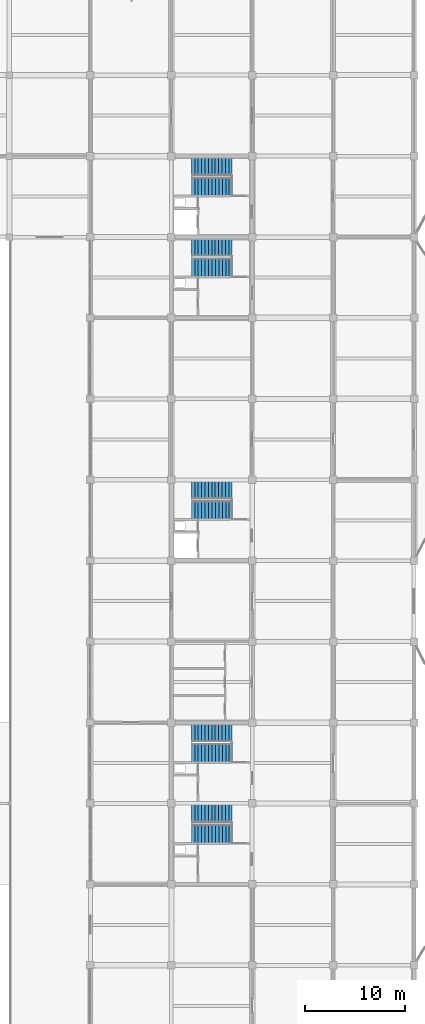
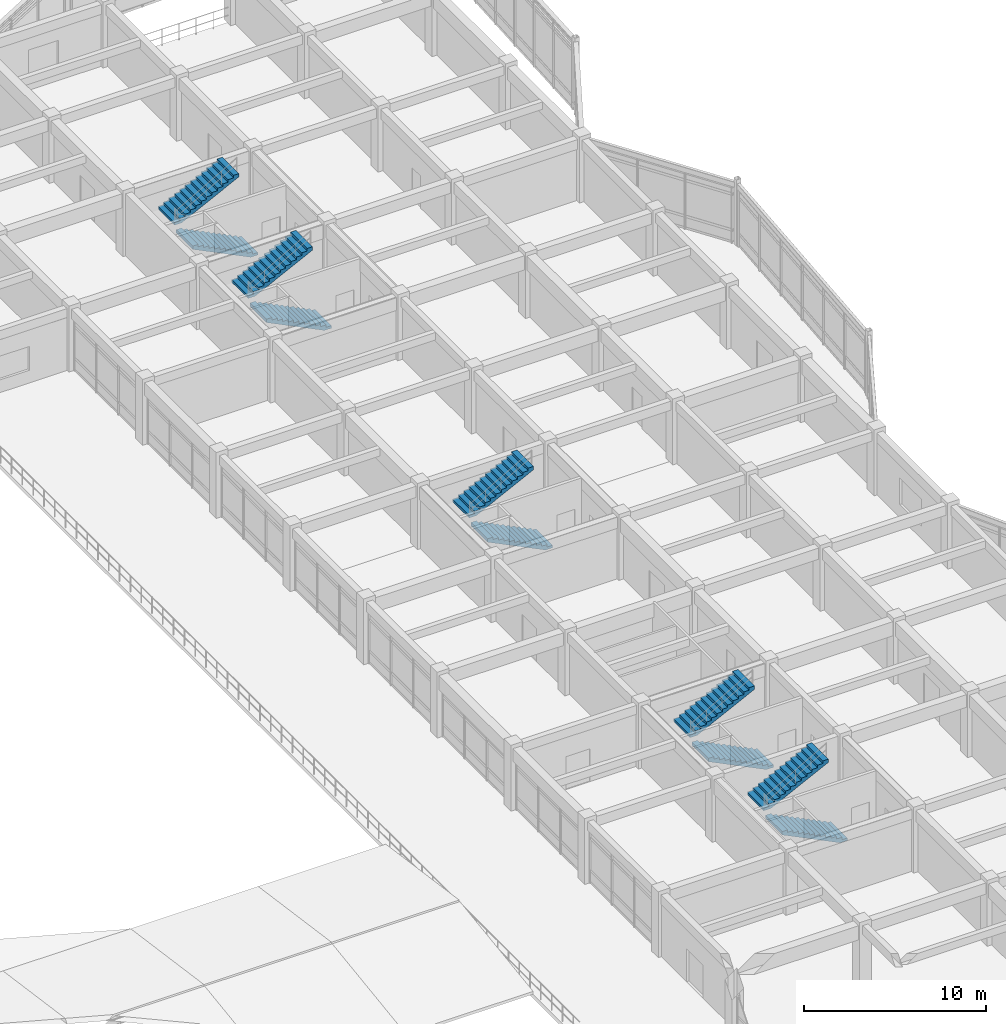
# One storey, part 56 of 70: 10 stair flights, 5 elements without a shape of their own.
"""IFC4 building model written with IfcOpenShell, lengths in metres."""

import ifcopenshell
import ifcopenshell.guid

model = None  # the IFC model being written
_history = None  # IfcOwnerHistory: only IFC2X3 demands one
_inside = {}  # id of a spatial element -> (the spatial element, [elements in it])
_under = {}  # id of a project, library or spatial element -> (it, [spatial elements below it])
_declared = {}  # id of a project -> (the project, [libraries it declares])
_typed = {}  # id of a type object -> (the type object, [elements of that type])
_made_of = {}  # id of a material, layer set ... -> (it, [elements and type objects made of it])


def new_model(schema):
    """Start an empty IFC model of exactly this schema.

    Asked for "IFC4X3", IfcOpenShell would pick the latest addendum, in which some entities
    have other attributes; the version numbers below select the first issue.
    IFC2X3 requires an IfcOwnerHistory on every rooted entity: one is made here for all.
    """
    global model, _history
    if schema == "IFC4X3":
        model = ifcopenshell.file(schema_version=(4, 3, 0, 0))
    else:
        model = ifcopenshell.file(schema=schema)
    _inside.clear()
    _under.clear()
    _declared.clear()
    _typed.clear()
    _made_of.clear()
    _history = None
    if model.schema == "IFC2X3":
        org = make("IfcOrganization", Name="unknown")
        user = make(
            "IfcPersonAndOrganization",
            ThePerson=make("IfcPerson", FamilyName="unknown"),
            TheOrganization=org,
        )
        app = make(
            "IfcApplication",
            ApplicationDeveloper=org,
            Version="unknown",
            ApplicationFullName="unknown",
            ApplicationIdentifier="unknown",
        )
        _history = make(
            "IfcOwnerHistory",
            OwningUser=user,
            OwningApplication=app,
            ChangeAction="ADDED",
            CreationDate=0,
        )
    return model


def make(cls, **values):
    """One entity of the class cls with the attributes given. An attribute that is None is left unset."""
    return model.create_entity(
        cls, **{name: value for name, value in values.items() if value is not None}
    )


def rooted(cls, **values):
    """An entity with a GlobalId (a new one), such as an element, a storey or a relation."""
    return make(cls, GlobalId=ifcopenshell.guid.new(), OwnerHistory=_history, **values)


def si_unit(unit_type, name, prefix=None):
    """IfcSIUnit, for example si_unit("LENGTHUNIT", "METRE", prefix="MILLI")."""
    return make("IfcSIUnit", UnitType=unit_type, Prefix=prefix, Name=name)


def assignment(units):
    """IfcUnitAssignment: the units of a project."""
    return None if units is None else make("IfcUnitAssignment", Units=units)


def point(xyz):
    """IfcCartesianPoint."""
    return None if xyz is None else make("IfcCartesianPoint", Coordinates=xyz)


def direction(xyz):
    """IfcDirection."""
    return None if xyz is None else make("IfcDirection", DirectionRatios=xyz)


def frame(location, z_axis=None, x_axis=None):
    """IfcAxis2Placement3D, a coordinate frame: its origin and axes. An axis left out is left unset."""
    return make(
        "IfcAxis2Placement3D",
        Location=point(location),
        Axis=direction(z_axis),
        RefDirection=direction(x_axis),
    )


def origin():
    """The frame at (0, 0, 0) with its axes left unset."""
    return frame((0.0, 0.0, 0.0))


def place(relative_to, where):
    """IfcLocalPlacement: puts the frame where relative to a parent placement (None: the world)."""
    return make(
        "IfcLocalPlacement", PlacementRelTo=relative_to, RelativePlacement=where
    )


def context(
    kind, dimensions, precision=None, world=None, true_north=None, identifier=None
):
    """IfcGeometricRepresentationContext, for example the 3D "Model" context."""
    return make(
        "IfcGeometricRepresentationContext",
        ContextIdentifier=identifier,
        ContextType=kind,
        CoordinateSpaceDimension=dimensions,
        Precision=precision,
        WorldCoordinateSystem=world,
        TrueNorth=true_north,
    )


def subcontext(parent, identifier, kind, view, scale=None):
    """IfcGeometricRepresentationSubContext, for example "Body" below "Model"."""
    return make(
        "IfcGeometricRepresentationSubContext",
        ContextIdentifier=identifier,
        ContextType=kind,
        ParentContext=parent,
        TargetScale=scale,
        TargetView=view,
    )


def project(units=None, contexts=None):
    """IfcProject with its units and contexts."""
    return rooted(
        "IfcProject",
        Name="project",
        RepresentationContexts=contexts,
        UnitsInContext=assignment(units),
    )


def spatial(cls, under=None, at=None, **own):
    """A site, building, storey or space (cls), placed at a placement, below another one or the project."""
    s = rooted(cls, ObjectPlacement=at, **own)
    if under is not None:
        _under.setdefault(under.id(), (under, []))[1].append(s)
    return s


def polyline(points):
    """IfcPolyline through the points."""
    return make("IfcPolyline", Points=[point(p) for p in points])


def outline(outer, holes=None, kind="AREA"):
    """IfcArbitraryClosedProfileDef: a profile drawn as a closed curve; with holes, ...WithVoids."""
    if holes is None:
        return make("IfcArbitraryClosedProfileDef", ProfileType=kind, OuterCurve=outer)
    return make(
        "IfcArbitraryProfileDefWithVoids",
        ProfileType=kind,
        OuterCurve=outer,
        InnerCurves=holes,
    )


def extrude(swept, where, along, depth):
    """IfcExtrudedAreaSolid: the profile swept, set in the frame where, extruded along a direction by depth."""
    return make(
        "IfcExtrudedAreaSolid",
        SweptArea=swept,
        Position=where,
        ExtrudedDirection=direction(along),
        Depth=depth,
    )


def shape(context_of_items, identifier, shape_type, items):
    """IfcShapeRepresentation: the items that make up one representation, for example the "Body"."""
    return make(
        "IfcShapeRepresentation",
        ContextOfItems=context_of_items,
        RepresentationIdentifier=identifier,
        RepresentationType=shape_type,
        Items=items,
    )


def material(Name=None, Category=None):
    """IfcMaterial."""
    return make("IfcMaterial", Name=Name, Category=Category)


def made_of(thing, what):
    """Note that an element or type object is made of a material, layer set ...; save() writes the relation."""
    if what is not None:
        _made_of.setdefault(what.id(), (what, []))[1].append(thing)
    return thing


def type_object(cls, material=None, **own):
    """A type object (cls), such as IfcWallType, which elements share."""
    return made_of(rooted(cls, **own), material)


def element(
    cls,
    number,
    at=None,
    inside=None,
    cuts=None,
    type_object=None,
    material=None,
    context=None,
    identifier="Body",
    shape_type=None,
    held_by="IfcProductDefinitionShape",
    body=None,
    shapes=None,
    **own,
):
    """One element of the class cls, such as IfcWall. Its Tag is "e" and its number.

    at: its placement. inside: the storey or other place that contains it. cuts: it is an
    opening in that element (IfcRelVoidsElement). A single representation is given by context,
    identifier, shape_type and body (its items); several are given by shapes. held_by: the class
    of the entity that holds the representations. save() writes the other relations.
    """
    e = rooted(cls, Tag="e%d" % number, ObjectPlacement=at, **own)
    if body is not None:
        shapes = [shape(context, identifier, shape_type, body)]
    if shapes is not None:
        e.Representation = make(held_by, Representations=shapes)
    if inside is not None:
        _inside.setdefault(inside.id(), (inside, []))[1].append(e)
    if cuts is not None:
        rooted(
            "IfcRelVoidsElement", RelatingBuildingElement=cuts, RelatedOpeningElement=e
        )
    if type_object is not None:
        _typed.setdefault(type_object.id(), (type_object, []))[1].append(e)
    return made_of(e, material)


def aggregate(whole, parts):
    """IfcRelAggregates: a whole, such as a stair, and the parts it consists of."""
    return rooted("IfcRelAggregates", RelatingObject=whole, RelatedObjects=parts)


def save(model, path):
    """Write the relations noted so far, then the file.

    IfcRelAggregates (storeys below a building ...), IfcRelContainedInSpatialStructure (elements
    in a storey), IfcRelDefinesByType, IfcRelAssociatesMaterial and IfcRelDeclares: one each for
    every whole, place, type object, material and project.
    """
    for whole, parts in _under.values():
        aggregate(whole, parts)
    for where, things in _inside.values():
        rooted(
            "IfcRelContainedInSpatialStructure",
            RelatedElements=things,
            RelatingStructure=where,
        )
    for kind, things in _typed.values():
        rooted("IfcRelDefinesByType", RelatedObjects=things, RelatingType=kind)
    for what, things in _made_of.values():
        rooted("IfcRelAssociatesMaterial", RelatedObjects=things, RelatingMaterial=what)
    for by, libraries in _declared.values():
        rooted("IfcRelDeclares", RelatingContext=by, RelatedDefinitions=libraries)
    model.write(path)


model = new_model("IFC4")

# Units and contexts
model_context = context("Model", 3, precision=1e-05, world=origin(), true_north=direction((0.0, 1.0)))
body_context = subcontext(model_context, "Body", "Model", "MODEL_VIEW")
ifc_project = project(units=[si_unit("LENGTHUNIT", "METRE"), si_unit("AREAUNIT", "SQUARE_METRE"), si_unit("VOLUMEUNIT", "CUBIC_METRE"), si_unit("PLANEANGLEUNIT", "RADIAN"), si_unit("MASSUNIT", "GRAM", prefix="KILO")], contexts=[model_context])

# Site, building, storey
site_placement = place(None, origin())
site = spatial("IfcSite", under=ifc_project, at=site_placement, CompositionType="ELEMENT")
building_placement = place(site_placement, origin())
building = spatial("IfcBuilding", under=site, at=building_placement, Name="Vaudrelin Polytechnic", CompositionType="ELEMENT")
storey_placement = place(building_placement, frame((0.0, 0.0, 14.110107421875)))
storey = spatial("IfcBuildingStorey", under=building, at=storey_placement, Name="L03", CompositionType="ELEMENT", Elevation=14.110107421875)

# Stair, stair flights
ifc_material = material(Name="Concrete 35 MPa", Category="concrete")
stair_type = type_object("IfcStairType", Name="STR-ST-CORE", PredefinedType="TWO_STRAIGHT_RUN_STAIR", material=ifc_material)
stair_1_placement = place(storey_placement, origin())
stair_1 = element("IfcStair", 1, at=stair_1_placement, inside=storey, type_object=stair_type, Name="Exit stair ST-06-L03", PredefinedType="TWO_STRAIGHT_RUN_STAIR")
stair_flight_type = type_object("IfcStairFlightType", Name="STF-STF-CORE", PredefinedType="STRAIGHT", material=ifc_material)
stair_flight_1_placement = place(storey_placement, frame((151.93994140625, 102.27001953125, 0.0), z_axis=(0.0, 0.0, 1.0), x_axis=(-1.0, 0.0, 0.0)))
stair_flight_1 = element("IfcStairFlight", 2, at=stair_flight_1_placement, type_object=stair_flight_type, Name="ST-06-L03 flight 1", NumberOfRisers=13, NumberOfTreads=12, PredefinedType="STRAIGHT", RiserHeight=0.17, TreadLength=0.34417, context=body_context, shape_type="SweptSolid", body=[
    extrude(outline(polyline([(0.0, 0.0), (0.0, 0.169921875), (0.34423828125, 0.169921875), (0.34423828125, 0.340087890625), (0.688232421875, 0.340087890625), (0.688232421875, 0.510009765625), (1.032470703125, 0.510009765625), (1.032470703125, 0.679931640625), (1.376708984375, 0.679931640625), (1.376708984375, 0.85009765625), (1.720947265625, 0.85009765625), (1.720947265625, 1.02001953125), (2.06494140625, 1.02001953125), (2.06494140625, 1.18994140625), (2.4091796875, 1.18994140625), (2.4091796875, 1.360107421875), (2.75341796875, 1.360107421875), (2.75341796875, 1.530029296875), (3.097412109375, 1.530029296875), (3.097412109375, 1.699951171875), (3.441650390625, 1.699951171875), (3.441650390625, 1.8701171875), (3.785888671875, 1.8701171875), (3.785888671875, 2.0400390625), (4.130126953125, 2.0400390625), (4.130126953125, 2.2099609375), (4.130126953125, 1.81689453125), (0.451416015625, 0.0), (0.0, 0.0)])), frame((0.0, 0.91015625, 0.0), z_axis=(0.0, -1.0, 0.0), x_axis=(1.0, 0.0, 0.0)), (0.0, 0.0, 1.0), 1.820068359375),
])
stair_flight_2_placement = place(storey_placement, frame((147.81005859375, 104.2900390625, 2.2099609375), z_axis=(0.0, 0.0, 1.0), x_axis=(1.0, 0.0, 0.0)))
stair_flight_2 = element("IfcStairFlight", 3, at=stair_flight_2_placement, type_object=stair_flight_type, Name="ST-06-L03 flight 2", NumberOfRisers=13, NumberOfTreads=12, PredefinedType="STRAIGHT", RiserHeight=0.17, TreadLength=0.34083, context=body_context, shape_type="SweptSolid", body=[
    extrude(outline(polyline([(0.0, 0.0), (0.0, 0.169921875), (0.3408203125, 0.169921875), (0.3408203125, 0.340087890625), (0.681640625, 0.340087890625), (0.681640625, 0.510009765625), (1.0224609375, 0.510009765625), (1.0224609375, 0.679931640625), (1.36328125, 0.679931640625), (1.36328125, 0.85009765625), (1.7041015625, 0.85009765625), (1.7041015625, 1.02001953125), (2.044921875, 1.02001953125), (2.044921875, 1.18994140625), (2.3857421875, 1.18994140625), (2.3857421875, 1.360107421875), (2.7265625, 1.360107421875), (2.7265625, 1.530029296875), (3.0673828125, 1.530029296875), (3.0673828125, 1.699951171875), (3.408203125, 1.699951171875), (3.408203125, 1.8701171875), (3.7490234375, 1.8701171875), (3.7490234375, 2.0400390625), (4.08984375, 2.0400390625), (4.08984375, 2.2099609375), (4.08984375, 1.816650390625), (0.447998046875, 0.0), (0.0, 0.0)])), frame((0.0, 0.91015625, 0.0), z_axis=(0.0, -1.0, 0.0), x_axis=(1.0, 0.0, 0.0)), (0.0, 0.0, 1.0), 1.820068359375),
])
aggregate(stair_1, [stair_flight_1, stair_flight_2])

stair_2_placement = place(storey_placement, origin())
stair_2 = element("IfcStair", 4, at=stair_2_placement, inside=storey, type_object=stair_type, Name="Exit stair ST-07-L03", PredefinedType="TWO_STRAIGHT_RUN_STAIR")
stair_flight_3_placement = place(storey_placement, frame((151.93994140625, 69.8701171875, 0.0), z_axis=(0.0, 0.0, 1.0), x_axis=(-1.0, 0.0, 0.0)))
stair_flight_3 = element("IfcStairFlight", 5, at=stair_flight_3_placement, type_object=stair_flight_type, Name="ST-07-L03 flight 1", NumberOfRisers=13, NumberOfTreads=12, PredefinedType="STRAIGHT", RiserHeight=0.17, TreadLength=0.34417, context=body_context, shape_type="SweptSolid", body=[
    extrude(outline(polyline([(0.0, 0.0), (0.0, 0.169921875), (0.34423828125, 0.169921875), (0.34423828125, 0.340087890625), (0.688232421875, 0.340087890625), (0.688232421875, 0.510009765625), (1.032470703125, 0.510009765625), (1.032470703125, 0.679931640625), (1.376708984375, 0.679931640625), (1.376708984375, 0.85009765625), (1.720947265625, 0.85009765625), (1.720947265625, 1.02001953125), (2.06494140625, 1.02001953125), (2.06494140625, 1.18994140625), (2.4091796875, 1.18994140625), (2.4091796875, 1.360107421875), (2.75341796875, 1.360107421875), (2.75341796875, 1.530029296875), (3.097412109375, 1.530029296875), (3.097412109375, 1.699951171875), (3.441650390625, 1.699951171875), (3.441650390625, 1.8701171875), (3.785888671875, 1.8701171875), (3.785888671875, 2.0400390625), (4.130126953125, 2.0400390625), (4.130126953125, 2.2099609375), (4.130126953125, 1.81689453125), (0.451416015625, 0.0), (0.0, 0.0)])), frame((0.0, 0.91015625, 0.0), z_axis=(0.0, -1.0, 0.0), x_axis=(1.0, 0.0, 0.0)), (0.0, 0.0, 1.0), 1.820068359375),
])
stair_flight_4_placement = place(storey_placement, frame((147.81005859375, 71.889892578125, 2.2099609375), z_axis=(0.0, 0.0, 1.0), x_axis=(1.0, 0.0, 0.0)))
stair_flight_4 = element("IfcStairFlight", 6, at=stair_flight_4_placement, type_object=stair_flight_type, Name="ST-07-L03 flight 2", NumberOfRisers=13, NumberOfTreads=12, PredefinedType="STRAIGHT", RiserHeight=0.17, TreadLength=0.34083, context=body_context, shape_type="SweptSolid", body=[
    extrude(outline(polyline([(0.0, 0.0), (0.0, 0.169921875), (0.3408203125, 0.169921875), (0.3408203125, 0.340087890625), (0.681640625, 0.340087890625), (0.681640625, 0.510009765625), (1.0224609375, 0.510009765625), (1.0224609375, 0.679931640625), (1.36328125, 0.679931640625), (1.36328125, 0.85009765625), (1.7041015625, 0.85009765625), (1.7041015625, 1.02001953125), (2.044921875, 1.02001953125), (2.044921875, 1.18994140625), (2.3857421875, 1.18994140625), (2.3857421875, 1.360107421875), (2.7265625, 1.360107421875), (2.7265625, 1.530029296875), (3.0673828125, 1.530029296875), (3.0673828125, 1.699951171875), (3.408203125, 1.699951171875), (3.408203125, 1.8701171875), (3.7490234375, 1.8701171875), (3.7490234375, 2.0400390625), (4.08984375, 2.0400390625), (4.08984375, 2.2099609375), (4.08984375, 1.816650390625), (0.447998046875, 0.0), (0.0, 0.0)])), frame((0.0, 0.91015625, 0.0), z_axis=(0.0, -1.0, 0.0), x_axis=(1.0, 0.0, 0.0)), (0.0, 0.0, 1.0), 1.820068359375),
])
aggregate(stair_2, [stair_flight_3, stair_flight_4])

stair_3_placement = place(storey_placement, origin())
stair_3 = element("IfcStair", 7, at=stair_3_placement, inside=storey, type_object=stair_type, Name="Exit stair ST-08-L03", PredefinedType="TWO_STRAIGHT_RUN_STAIR")
stair_flight_5_placement = place(storey_placement, frame((151.93994140625, 37.469970703125, 0.0), z_axis=(0.0, 0.0, 1.0), x_axis=(-1.0, 0.0, 0.0)))
stair_flight_5 = element("IfcStairFlight", 8, at=stair_flight_5_placement, type_object=stair_flight_type, Name="ST-08-L03 flight 1", NumberOfRisers=13, NumberOfTreads=12, PredefinedType="STRAIGHT", RiserHeight=0.17, TreadLength=0.34417, context=body_context, shape_type="SweptSolid", body=[
    extrude(outline(polyline([(0.0, 0.0), (0.0, 0.169921875), (0.34423828125, 0.169921875), (0.34423828125, 0.340087890625), (0.688232421875, 0.340087890625), (0.688232421875, 0.510009765625), (1.032470703125, 0.510009765625), (1.032470703125, 0.679931640625), (1.376708984375, 0.679931640625), (1.376708984375, 0.85009765625), (1.720947265625, 0.85009765625), (1.720947265625, 1.02001953125), (2.06494140625, 1.02001953125), (2.06494140625, 1.18994140625), (2.4091796875, 1.18994140625), (2.4091796875, 1.360107421875), (2.75341796875, 1.360107421875), (2.75341796875, 1.530029296875), (3.097412109375, 1.530029296875), (3.097412109375, 1.699951171875), (3.441650390625, 1.699951171875), (3.441650390625, 1.8701171875), (3.785888671875, 1.8701171875), (3.785888671875, 2.0400390625), (4.130126953125, 2.0400390625), (4.130126953125, 2.2099609375), (4.130126953125, 1.81689453125), (0.451416015625, 0.0), (0.0, 0.0)])), frame((0.0, 0.91015625, 0.0), z_axis=(0.0, -1.0, 0.0), x_axis=(1.0, 0.0, 0.0)), (0.0, 0.0, 1.0), 1.820068359375),
])
stair_flight_6_placement = place(storey_placement, frame((147.81005859375, 39.489990234375, 2.2099609375), z_axis=(0.0, 0.0, 1.0), x_axis=(1.0, 0.0, 0.0)))
stair_flight_6 = element("IfcStairFlight", 9, at=stair_flight_6_placement, type_object=stair_flight_type, Name="ST-08-L03 flight 2", NumberOfRisers=13, NumberOfTreads=12, PredefinedType="STRAIGHT", RiserHeight=0.17, TreadLength=0.34083, context=body_context, shape_type="SweptSolid", body=[
    extrude(outline(polyline([(0.0, 0.0), (0.0, 0.169921875), (0.3408203125, 0.169921875), (0.3408203125, 0.340087890625), (0.681640625, 0.340087890625), (0.681640625, 0.510009765625), (1.0224609375, 0.510009765625), (1.0224609375, 0.679931640625), (1.36328125, 0.679931640625), (1.36328125, 0.85009765625), (1.7041015625, 0.85009765625), (1.7041015625, 1.02001953125), (2.044921875, 1.02001953125), (2.044921875, 1.18994140625), (2.3857421875, 1.18994140625), (2.3857421875, 1.360107421875), (2.7265625, 1.360107421875), (2.7265625, 1.530029296875), (3.0673828125, 1.530029296875), (3.0673828125, 1.699951171875), (3.408203125, 1.699951171875), (3.408203125, 1.8701171875), (3.7490234375, 1.8701171875), (3.7490234375, 2.0400390625), (4.08984375, 2.0400390625), (4.08984375, 2.2099609375), (4.08984375, 1.816650390625), (0.447998046875, 0.0), (0.0, 0.0)])), frame((0.0, 0.91015625, 0.0), z_axis=(0.0, -1.0, 0.0), x_axis=(1.0, 0.0, 0.0)), (0.0, 0.0, 1.0), 1.820068359375),
])
aggregate(stair_3, [stair_flight_5, stair_flight_6])

stair_4_placement = place(storey_placement, origin())
stair_4 = element("IfcStair", 10, at=stair_4_placement, inside=storey, type_object=stair_type, Name="Exit stair ST-12-L03", PredefinedType="TWO_STRAIGHT_RUN_STAIR")
stair_flight_7_placement = place(storey_placement, frame((151.93994140625, 45.570068359375, 0.0), z_axis=(0.0, 0.0, 1.0), x_axis=(-1.0, 0.0, 0.0)))
stair_flight_7 = element("IfcStairFlight", 11, at=stair_flight_7_placement, type_object=stair_flight_type, Name="ST-12-L03 flight 1", NumberOfRisers=13, NumberOfTreads=12, PredefinedType="STRAIGHT", RiserHeight=0.17, TreadLength=0.34417, context=body_context, shape_type="SweptSolid", body=[
    extrude(outline(polyline([(0.0, 0.0), (0.0, 0.169921875), (0.34423828125, 0.169921875), (0.34423828125, 0.340087890625), (0.688232421875, 0.340087890625), (0.688232421875, 0.510009765625), (1.032470703125, 0.510009765625), (1.032470703125, 0.679931640625), (1.376708984375, 0.679931640625), (1.376708984375, 0.85009765625), (1.720947265625, 0.85009765625), (1.720947265625, 1.02001953125), (2.06494140625, 1.02001953125), (2.06494140625, 1.18994140625), (2.4091796875, 1.18994140625), (2.4091796875, 1.360107421875), (2.75341796875, 1.360107421875), (2.75341796875, 1.530029296875), (3.097412109375, 1.530029296875), (3.097412109375, 1.699951171875), (3.441650390625, 1.699951171875), (3.441650390625, 1.8701171875), (3.785888671875, 1.8701171875), (3.785888671875, 2.0400390625), (4.130126953125, 2.0400390625), (4.130126953125, 2.2099609375), (4.130126953125, 1.81689453125), (0.451416015625, 0.0), (0.0, 0.0)])), frame((0.0, 0.91015625, 0.0), z_axis=(0.0, -1.0, 0.0), x_axis=(1.0, 0.0, 0.0)), (0.0, 0.0, 1.0), 1.820068359375),
])
stair_flight_8_placement = place(storey_placement, frame((147.81005859375, 47.590087890625, 2.2099609375), z_axis=(0.0, 0.0, 1.0), x_axis=(1.0, 0.0, 0.0)))
stair_flight_8 = element("IfcStairFlight", 12, at=stair_flight_8_placement, type_object=stair_flight_type, Name="ST-12-L03 flight 2", NumberOfRisers=13, NumberOfTreads=12, PredefinedType="STRAIGHT", RiserHeight=0.17, TreadLength=0.34083, context=body_context, shape_type="SweptSolid", body=[
    extrude(outline(polyline([(0.0, 0.0), (0.0, 0.169921875), (0.3408203125, 0.169921875), (0.3408203125, 0.340087890625), (0.681640625, 0.340087890625), (0.681640625, 0.510009765625), (1.0224609375, 0.510009765625), (1.0224609375, 0.679931640625), (1.36328125, 0.679931640625), (1.36328125, 0.85009765625), (1.7041015625, 0.85009765625), (1.7041015625, 1.02001953125), (2.044921875, 1.02001953125), (2.044921875, 1.18994140625), (2.3857421875, 1.18994140625), (2.3857421875, 1.360107421875), (2.7265625, 1.360107421875), (2.7265625, 1.530029296875), (3.0673828125, 1.530029296875), (3.0673828125, 1.699951171875), (3.408203125, 1.699951171875), (3.408203125, 1.8701171875), (3.7490234375, 1.8701171875), (3.7490234375, 2.0400390625), (4.08984375, 2.0400390625), (4.08984375, 2.2099609375), (4.08984375, 1.816650390625), (0.447998046875, 0.0), (0.0, 0.0)])), frame((0.0, 0.91015625, 0.0), z_axis=(0.0, -1.0, 0.0), x_axis=(1.0, 0.0, 0.0)), (0.0, 0.0, 1.0), 1.820068359375),
])
aggregate(stair_4, [stair_flight_7, stair_flight_8])

stair_5_placement = place(storey_placement, origin())
stair_5 = element("IfcStair", 13, at=stair_5_placement, inside=storey, type_object=stair_type, Name="Exit stair ST-13-L03", PredefinedType="TWO_STRAIGHT_RUN_STAIR")
stair_flight_9_placement = place(storey_placement, frame((151.93994140625, 94.169921875, 0.0), z_axis=(0.0, 0.0, 1.0), x_axis=(-1.0, 0.0, 0.0)))
stair_flight_9 = element("IfcStairFlight", 14, at=stair_flight_9_placement, type_object=stair_flight_type, Name="ST-13-L03 flight 1", NumberOfRisers=13, NumberOfTreads=12, PredefinedType="STRAIGHT", RiserHeight=0.17, TreadLength=0.34417, context=body_context, shape_type="SweptSolid", body=[
    extrude(outline(polyline([(0.0, 0.0), (0.0, 0.169921875), (0.34423828125, 0.169921875), (0.34423828125, 0.340087890625), (0.688232421875, 0.340087890625), (0.688232421875, 0.510009765625), (1.032470703125, 0.510009765625), (1.032470703125, 0.679931640625), (1.376708984375, 0.679931640625), (1.376708984375, 0.85009765625), (1.720947265625, 0.85009765625), (1.720947265625, 1.02001953125), (2.06494140625, 1.02001953125), (2.06494140625, 1.18994140625), (2.4091796875, 1.18994140625), (2.4091796875, 1.360107421875), (2.75341796875, 1.360107421875), (2.75341796875, 1.530029296875), (3.097412109375, 1.530029296875), (3.097412109375, 1.699951171875), (3.441650390625, 1.699951171875), (3.441650390625, 1.8701171875), (3.785888671875, 1.8701171875), (3.785888671875, 2.0400390625), (4.130126953125, 2.0400390625), (4.130126953125, 2.2099609375), (4.130126953125, 1.81689453125), (0.451416015625, 0.0), (0.0, 0.0)])), frame((0.0, 0.91015625, 0.0), z_axis=(0.0, -1.0, 0.0), x_axis=(1.0, 0.0, 0.0)), (0.0, 0.0, 1.0), 1.820068359375),
])
stair_flight_10_placement = place(storey_placement, frame((147.81005859375, 96.18994140625, 2.2099609375), z_axis=(0.0, 0.0, 1.0), x_axis=(1.0, 0.0, 0.0)))
stair_flight_10 = element("IfcStairFlight", 15, at=stair_flight_10_placement, type_object=stair_flight_type, Name="ST-13-L03 flight 2", NumberOfRisers=13, NumberOfTreads=12, PredefinedType="STRAIGHT", RiserHeight=0.17, TreadLength=0.34083, context=body_context, shape_type="SweptSolid", body=[
    extrude(outline(polyline([(0.0, 0.0), (0.0, 0.169921875), (0.3408203125, 0.169921875), (0.3408203125, 0.340087890625), (0.681640625, 0.340087890625), (0.681640625, 0.510009765625), (1.0224609375, 0.510009765625), (1.0224609375, 0.679931640625), (1.36328125, 0.679931640625), (1.36328125, 0.85009765625), (1.7041015625, 0.85009765625), (1.7041015625, 1.02001953125), (2.044921875, 1.02001953125), (2.044921875, 1.18994140625), (2.3857421875, 1.18994140625), (2.3857421875, 1.360107421875), (2.7265625, 1.360107421875), (2.7265625, 1.530029296875), (3.0673828125, 1.530029296875), (3.0673828125, 1.699951171875), (3.408203125, 1.699951171875), (3.408203125, 1.8701171875), (3.7490234375, 1.8701171875), (3.7490234375, 2.0400390625), (4.08984375, 2.0400390625), (4.08984375, 2.2099609375), (4.08984375, 1.816650390625), (0.447998046875, 0.0), (0.0, 0.0)])), frame((0.0, 0.91015625, 0.0), z_axis=(0.0, -1.0, 0.0), x_axis=(1.0, 0.0, 0.0)), (0.0, 0.0, 1.0), 1.820068359375),
])
aggregate(stair_5, [stair_flight_9, stair_flight_10])

save(model, "model.ifc")
